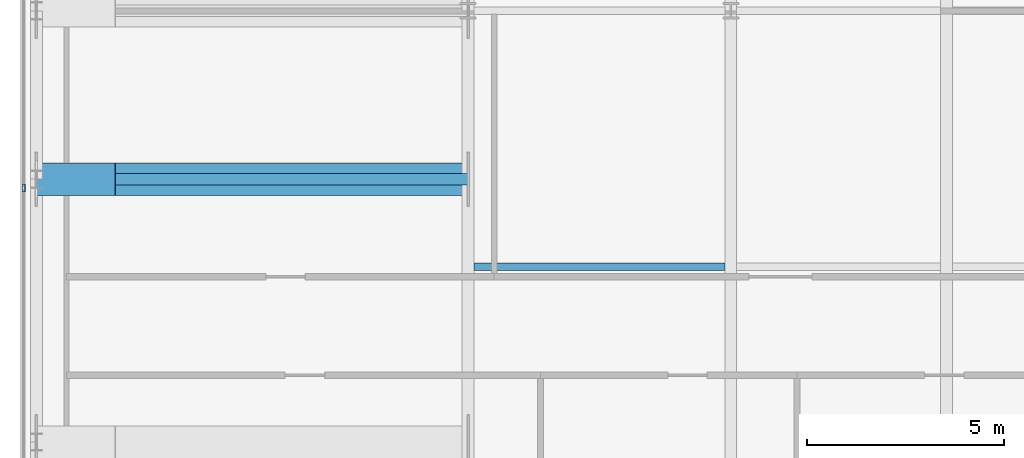
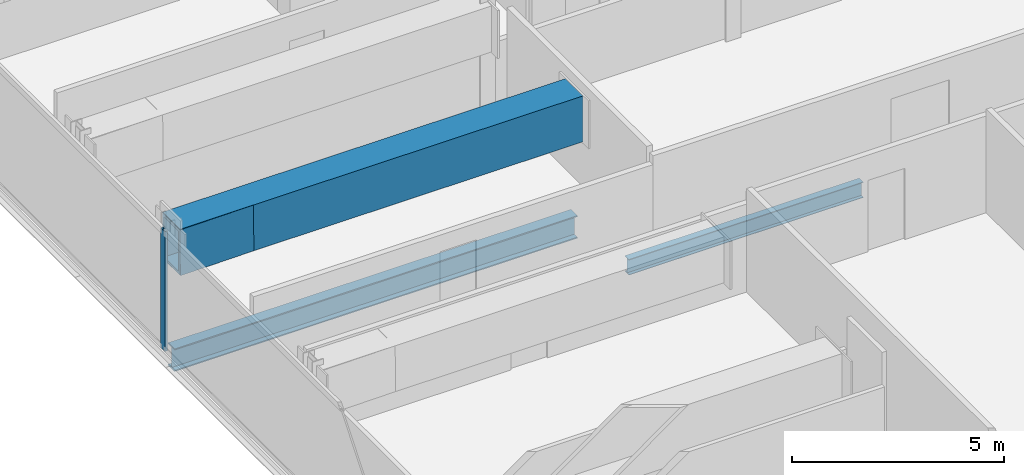
# One storey, part 9 of 26: 4 beams, 1 member, 1 element without a shape of its own.
"""IFC4 building model written with IfcOpenShell, lengths in metres."""

from ifc_helpers import new_model, si_unit, direction, frame, origin, origin_2d, place, context, subcontext, project, spatial, hollow_rectangle, i_section, extrude, material, material_profile, profile_set, type_object, element, aggregate, save


model = new_model("IFC4")

# Units and contexts
model_context = context("Model", 3, precision=1e-05, world=origin(), true_north=direction((0.0, 1.0)))
body_context = subcontext(model_context, "Body", "Model", "MODEL_VIEW")
ifc_project = project(units=[si_unit("LENGTHUNIT", "METRE"), si_unit("AREAUNIT", "SQUARE_METRE"), si_unit("VOLUMEUNIT", "CUBIC_METRE"), si_unit("PLANEANGLEUNIT", "RADIAN"), si_unit("MASSUNIT", "GRAM", prefix="KILO")], contexts=[model_context])

# Site, building, storey
site_placement = place(None, origin())
site = spatial("IfcSite", under=ifc_project, at=site_placement, CompositionType="ELEMENT")
building_placement = place(site_placement, origin())
building = spatial("IfcBuilding", under=site, at=building_placement, Name="Khoronbel Lancet Exchange", CompositionType="ELEMENT")
storey_placement = place(building_placement, frame((0.0, 0.0, 235.39990234375)))
storey = spatial("IfcBuildingStorey", under=building, at=storey_placement, Name="L60", CompositionType="ELEMENT", Elevation=235.39990234375)

# Beams
ifc_material_1 = material(Name="Steel S355", Category="steel")
ifc_material_profile_1 = material_profile(ifc_material_1, i_section(OverallWidth=0.300048828125, OverallDepth=0.64990234375, WebThickness=0.01611328125, FlangeThickness=0.031005859375, at=origin_2d()), Name="HEB 650")
ifc_profile_set_1 = profile_set([ifc_material_profile_1], Name="Steel S355")
beam_type_1 = type_object("IfcBeamType", Name="BM-BG4", PredefinedType="BEAM", material=ifc_profile_set_1)
beam_1_placement = place(storey_placement, frame((7.27001953125, 31.425048828125, -0.48486328125), z_axis=(1.0, 0.0, 0.0), x_axis=(0.0, 1.0, 0.0)))
element("IfcBeam", 1, at=beam_1_placement, inside=storey, type_object=beam_type_1, Name="Level L60 west lens tie girder LG2W", PredefinedType="BEAM", context=body_context, shape_type="SweptSolid", body=[
    extrude(i_section(OverallWidth=0.300048828125, OverallDepth=0.64990234375, WebThickness=0.01611328125, FlangeThickness=0.031005859375, at=origin_2d()), origin(), (0.0, 0.0, 1.0), 10.955078125),
])
ifc_material_profile_2 = material_profile(ifc_material_1, i_section(OverallWidth=0.18994140625, OverallDepth=0.449951171875, WebThickness=0.009521484375, FlangeThickness=0.0146484375, at=origin_2d()), Name="IPE 450")
ifc_profile_set_2 = profile_set([ifc_material_profile_2], Name="Steel S355")
beam_type_2 = type_object("IfcBeamType", Name="BM-BJ4", PredefinedType="JOIST", material=ifc_profile_set_2)
beam_2_placement = place(storey_placement, frame((18.375, 29.199951171875, -0.385009765625), z_axis=(1.0, 0.0, 0.0), x_axis=(0.0, 1.0, 0.0)))
element("IfcBeam", 2, at=beam_2_placement, inside=storey, type_object=beam_type_2, Name="Level L60 secondary composite joist J11", PredefinedType="JOIST", context=body_context, shape_type="SweptSolid", body=[
    extrude(i_section(OverallWidth=0.18994140625, OverallDepth=0.449951171875, WebThickness=0.009521484375, FlangeThickness=0.0146484375, at=origin_2d()), origin(), (0.0, 0.0, 1.0), 6.375),
])
ifc_material_2 = material(Name="Steel S460", Category="steel")
ifc_material_profile_3 = material_profile(ifc_material_2, hollow_rectangle(XDim=0.820068359375, YDim=1.320068359375, WallThickness=0.070068359375, at=origin_2d()), Name="BOX 820x1320x70")
ifc_profile_set_3 = profile_set([ifc_material_profile_3], Name="Steel S460")
beam_type_3 = type_object("IfcBeamType", Name="BM-TG4", PredefinedType="USERDEFINED", material=ifc_profile_set_3)
beam_3_placement = place(storey_placement, frame((7.27001953125, 31.425048828125, 2.760009765625), z_axis=(0.99994990606, 0.0, 0.010009264196), x_axis=(0.0, 1.0, 0.0)))
element("IfcBeam", 3, at=beam_3_placement, inside=storey, type_object=beam_type_3, Name="Setback transfer knee-brace girder L60-WC-M", ObjectType="TRANSFER GIRDER", PredefinedType="USERDEFINED", context=body_context, shape_type="SweptSolid", body=[
    extrude(hollow_rectangle(XDim=0.820068359375, YDim=1.320068359375, WallThickness=0.070068359375, at=origin_2d()), origin(), (0.0, 0.0, 1.0), 2.0),
])
beam_4_placement = place(storey_placement, frame((7.27001953125, 31.425048828125, 2.780029296875), z_axis=(1.0, 0.0, 0.0), x_axis=(0.0, 1.0, 0.0)))
element("IfcBeam", 4, at=beam_4_placement, inside=storey, type_object=beam_type_3, Name="Lens setback S460 transfer girder L60-W3", ObjectType="TRANSFER GIRDER", PredefinedType="USERDEFINED", context=body_context, shape_type="SweptSolid", body=[
    extrude(hollow_rectangle(XDim=0.820068359375, YDim=1.320068359375, WallThickness=0.070068359375, at=origin_2d()), origin(), (0.0, 0.0, 1.0), 10.955078125),
])

# Curtain wall, member
ifc_material_3 = material(Name="Low-E Solar Control Insulating Glass", Category="glass")
curtain_wall_type = type_object("IfcCurtainWallType", Name="CW-4", PredefinedType="NOTDEFINED", material=ifc_material_3)
curtain_wall_placement = place(storey_placement, origin())
curtain_wall = element("IfcCurtainWall", 5, at=curtain_wall_placement, inside=storey, type_object=curtain_wall_type, Name="Unitised curtain wall CW-L60-E03", PredefinedType="NOTDEFINED")
ifc_material_4 = material(Name="Bronze-Anodised Aluminium 6063-T6", Category="aluminium")
ifc_material_profile_4 = material_profile(ifc_material_4, hollow_rectangle(XDim=0.074951171875, YDim=0.199951171875, WallThickness=0.0048828125, at=origin_2d()), Name="ALU MULLION 75x200")
ifc_profile_set_4 = profile_set([ifc_material_profile_4], Name="Bronze-Anodised Aluminium 6063-T6")
member_type = type_object("IfcMemberType", Name="MEM-CWM2", PredefinedType="MULLION", material=ifc_profile_set_4)
member_placement = place(storey_placement, frame((6.93994140625, 31.199951171875, 0.0), z_axis=(0.0, 0.0, 1.0), x_axis=(-1.0, 0.0, 0.0)))
member = element("IfcMember", 6, at=member_placement, type_object=member_type, Name="CW4 mullion 2", PredefinedType="MULLION", context=body_context, shape_type="SweptSolid", body=[
    extrude(hollow_rectangle(XDim=0.074951171875, YDim=0.199951171875, WallThickness=0.0048828125, at=origin_2d()), origin(), (0.0, 0.0, 1.0), 3.440185546875),
])
aggregate(curtain_wall, [member])

save(model, "model.ifc")
